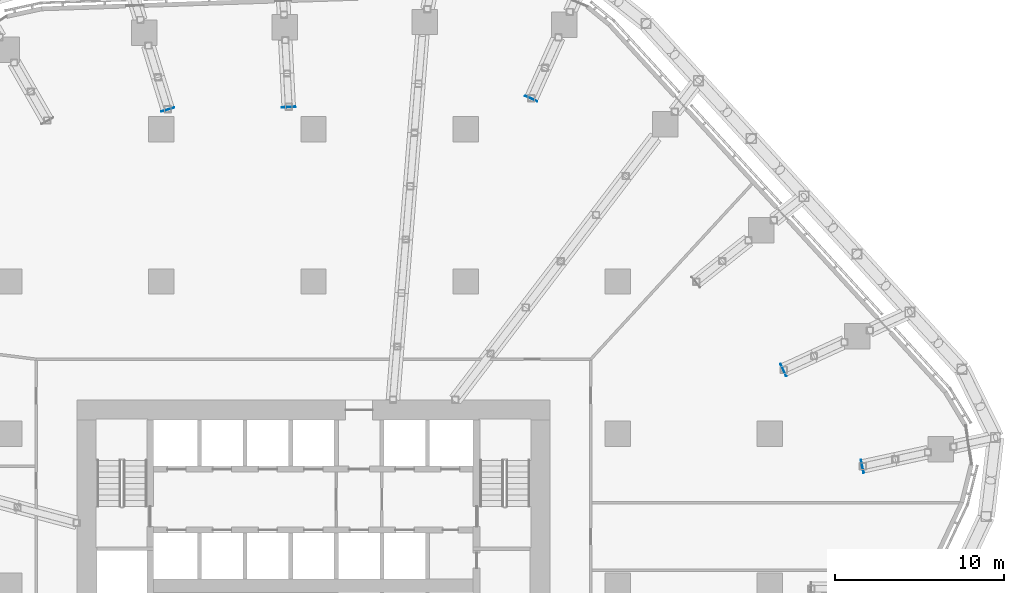
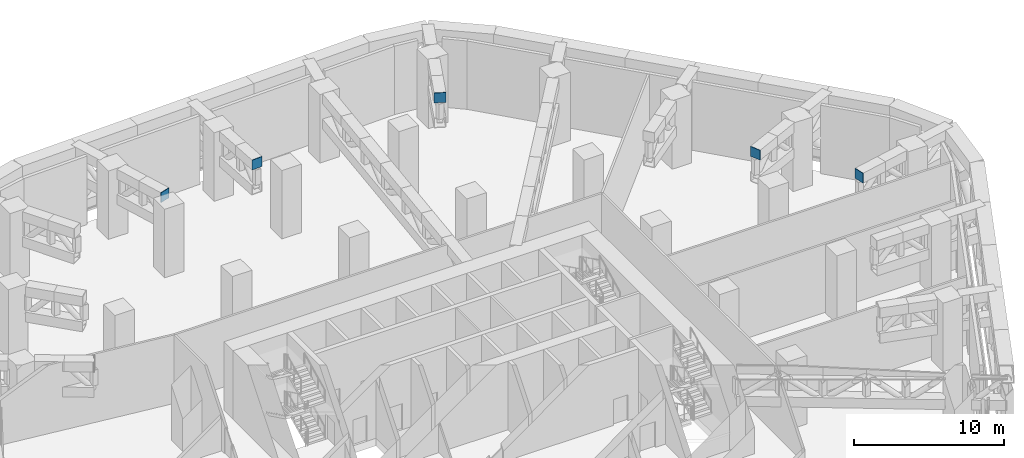
# One storey, part 23 of 38: 5 discrete accessories.
"""IFC4 building model written with IfcOpenShell, lengths in metres."""

from ifc_helpers import new_model, si_unit, direction, frame, origin, origin_2d, place, context, subcontext, project, spatial, rectangle, extrude, material, type_object, element, save


model = new_model("IFC4")

# Units and contexts
model_context = context("Model", 3, precision=1e-05, world=origin(), true_north=direction((0.0, 1.0)))
body_context = subcontext(model_context, "Body", "Model", "MODEL_VIEW")
ifc_project = project(units=[si_unit("LENGTHUNIT", "METRE"), si_unit("AREAUNIT", "SQUARE_METRE"), si_unit("VOLUMEUNIT", "CUBIC_METRE"), si_unit("PLANEANGLEUNIT", "RADIAN"), si_unit("MASSUNIT", "GRAM", prefix="KILO")], contexts=[model_context])

# Site, building, storey
site_placement = place(None, origin())
site = spatial("IfcSite", under=ifc_project, at=site_placement, CompositionType="ELEMENT")
building_placement = place(site_placement, origin())
building = spatial("IfcBuilding", under=site, at=building_placement, Name="Dongbaek Canopy Tower", CompositionType="ELEMENT")
storey_placement = place(building_placement, frame((0.0, 0.0, 89.199951171875)))
storey = spatial("IfcBuildingStorey", under=building, at=storey_placement, Name="L18", CompositionType="ELEMENT", Elevation=89.199951171875)

# Discrete accessories
ifc_material = material(Name="Steel S355 end plate", Category="steel")
discrete_accessory_type = type_object("IfcDiscreteAccessoryType", Name="Chord end plate EP 800x800x40", PredefinedType="BRACKET", material=ifc_material)
for number, where, z_axis, x_axis, name in (
    (1, (-8.615478515625, 28.16748046875, 4.75), (0.0, 0.0, 1.0), (-0.292486868202, 0.956269539371, 0.0), "End plate TR18-15"),
    (2, (-1.464111328125, 28.3173828125, 4.75), (0.0, 0.0, 1.0), (-0.05163876861, 0.998665828782, 0.0), "End plate TR18-16"),
    (3, (12.87548828125, 28.8193359375, 4.75), (0.0, 0.0, 1.0), (0.407908219731, 0.913022937431, 0.0), "End plate TR18-18"),
    (4, (27.7998046875, 12.760498046875, 4.75), (0.0, 0.0, 1.0), (0.90883026467, 0.417166094045, 0.0), "End plate TR18-21"),
    (5, (32.468505859375, 7.0595703125, 4.75), (0.0, 0.0, 1.0), (0.977169592346, 0.212460791193, 0.0), "End plate TR18-22"),
):
    element("IfcDiscreteAccessory", number, at=place(storey_placement, frame(where, z_axis=z_axis, x_axis=x_axis)), inside=storey, type_object=discrete_accessory_type, Name=name, PredefinedType="BRACKET", context=body_context, shape_type="SweptSolid", body=[
        extrude(rectangle(XDim=0.0400390625, YDim=0.800048828125, at=origin_2d()), origin(), (0.0, 0.0, 1.0), 0.800048828125),
    ])

save(model, "model.ifc")
